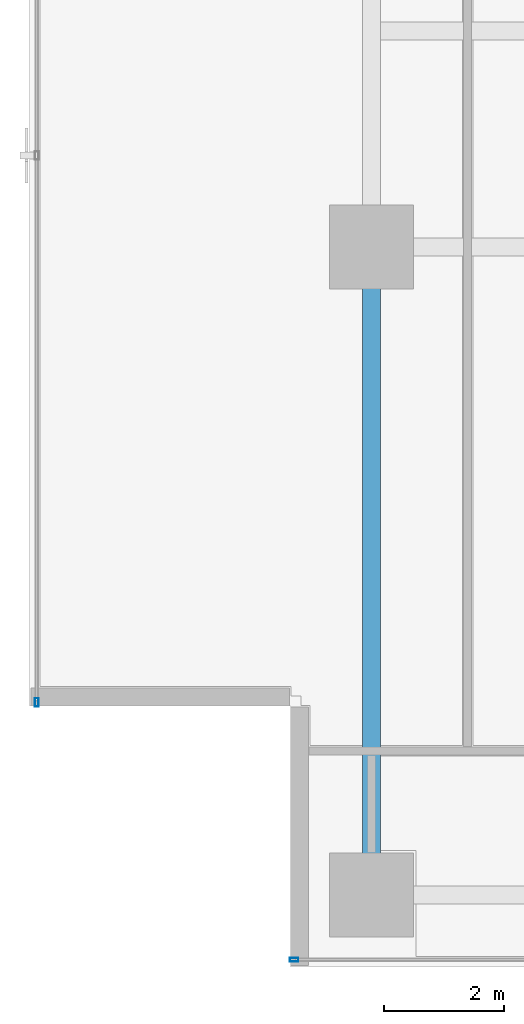
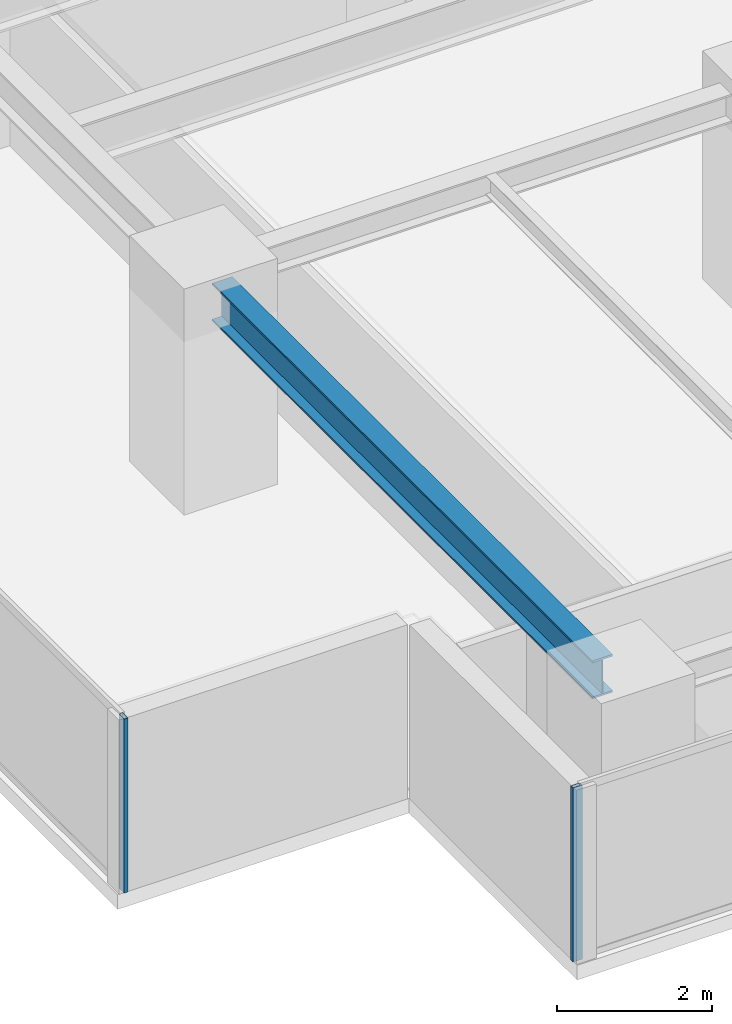
# One storey, part 2 of 25: 2 members, 1 beam, 2 elements without a shape of their own.
"""IFC4 building model written with IfcOpenShell, lengths in metres."""

from ifc_helpers import new_model, si_unit, direction, frame, origin, origin_2d, place, context, subcontext, project, spatial, hollow_rectangle, i_section, extrude, source, transform, mapped, material, layer, layer_set, material_profile, profile_set, type_object, element, aggregate, save


model = new_model("IFC4")

# Units and contexts
model_context = context("Model", 3, precision=1e-05, world=origin(), true_north=direction((0.0, 1.0)))
body_context = subcontext(model_context, "Body", "Model", "MODEL_VIEW")
ifc_project = project(units=[si_unit("LENGTHUNIT", "METRE"), si_unit("AREAUNIT", "SQUARE_METRE"), si_unit("VOLUMEUNIT", "CUBIC_METRE"), si_unit("PLANEANGLEUNIT", "RADIAN"), si_unit("MASSUNIT", "GRAM", prefix="KILO")], contexts=[model_context])

# Site, building, storey
site_placement = place(None, origin())
site = spatial("IfcSite", under=ifc_project, at=site_placement, CompositionType="ELEMENT")
building_placement = place(site_placement, origin())
building = spatial("IfcBuilding", under=site, at=building_placement, Name="Sumidabori Civic Tower", CompositionType="ELEMENT")
storey_placement = place(building_placement, frame((0.0, 0.0, 239.60009765625)))
storey = spatial("IfcBuildingStorey", under=building, at=storey_placement, Name="L62", CompositionType="ELEMENT", Elevation=239.60009765625)

# Beam
ifc_material_1 = material(Name="Steel SN490", Category="steel")
ifc_material_profile_1 = material_profile(ifc_material_1, i_section(OverallWidth=0.300048828125, OverallDepth=0.60009765625, WebThickness=0.015380859375, FlangeThickness=0.030029296875, at=origin_2d()), Name="HE 600 B")
ifc_profile_set_1 = profile_set([ifc_material_profile_1], Name="Steel SN490")
beam_type = type_object("IfcBeamType", Name="BM-GIRD-600", PredefinedType="BEAM", material=ifc_profile_set_1)
shared_shape_1 = source(origin(), body_context, "Body", "SweptSolid", [
    extrude(i_section(OverallWidth=0.300048828125, OverallDepth=0.60009765625, WebThickness=0.015380859375, FlangeThickness=0.030029296875, at=origin_2d()), origin(), (0.0, 0.0, 1.0), 9.840087890625),
])
beam_placement = place(storey_placement, frame((-16.800048828125, -10.320068359375, 3.06982421875), z_axis=(0.0, 1.0, 0.0), x_axis=(-1.0, 0.0, 0.0)))
element("IfcBeam", 1, at=beam_placement, inside=storey, type_object=beam_type, Name="Primary Girder L62 GY-09", PredefinedType="BEAM", context=body_context, shape_type="MappedRepresentation", body=[
    mapped(shared_shape_1, transform((0.0, 0.0, 0.0), x_axis=(1.0, 0.0, 0.0), y_axis=(0.0, 1.0, 0.0), z_axis=(0.0, 0.0, 1.0), scale=1.0)),
])

# Curtain wall, member
ifc_material_2 = material(Name="Anodised Bronze Aluminium AW-6063-T6", Category="aluminium")
ifc_layer = layer(ifc_material_2, 0.179931640625, Name="Anodised Bronze Aluminium AW-6063-T6")
ifc_layer_set = layer_set([ifc_layer], Name="Anodised Bronze Aluminium AW-6063-T6")
curtain_wall_type = type_object("IfcCurtainWallType", Name="CW-SYS-5", PredefinedType="NOTDEFINED", material=ifc_layer_set)
curtain_wall_1_placement = place(storey_placement, origin())
curtain_wall_1 = element("IfcCurtainWall", 2, at=curtain_wall_1_placement, inside=storey, type_object=curtain_wall_type, Name="Curtain Wall CW:L62:R01", PredefinedType="NOTDEFINED")
ifc_material_profile_2 = material_profile(ifc_material_2, hollow_rectangle(XDim=0.06005859375, YDim=0.139892578125, WallThickness=0.0048828125, at=origin_2d()), Name="ALU MULLION 140x60")
ifc_profile_set_2 = profile_set([ifc_material_profile_2], Name="Anodised Bronze Aluminium AW-6063-T6")
member_type = type_object("IfcMemberType", Name="CW-MUL-140", PredefinedType="MULLION", material=ifc_profile_set_2)
shared_shape_2 = source(origin(), body_context, "Body", "SweptSolid", [
    extrude(hollow_rectangle(XDim=0.06005859375, YDim=0.139892578125, WallThickness=0.0048828125, at=origin_2d()), origin(), (0.0, 0.0, 1.0), 2.75),
])
member_1_placement = place(storey_placement, frame((-18.090087890625, -11.8798828125, 0.0), z_axis=(0.0, 0.0, 1.0), x_axis=(0.0, 1.0, 0.0)))
member_1 = element("IfcMember", 3, at=member_1_placement, type_object=member_type, Name="CW-5 mullion 1", PredefinedType="MULLION", context=body_context, shape_type="MappedRepresentation", body=[
    mapped(shared_shape_2, transform((0.0, 0.0, 0.0), x_axis=(1.0, 0.0, 0.0), y_axis=(0.0, 1.0, 0.0), z_axis=(0.0, 0.0, 1.0), scale=1.0)),
])
aggregate(curtain_wall_1, [member_1])

curtain_wall_2_placement = place(storey_placement, origin())
curtain_wall_2 = element("IfcCurtainWall", 4, at=curtain_wall_2_placement, inside=storey, type_object=curtain_wall_type, Name="Curtain Wall CW:L62:R10", PredefinedType="NOTDEFINED")
member_2_placement = place(storey_placement, frame((-22.3798828125, -7.590087890625, 0.0), z_axis=(0.0, 0.0, 1.0), x_axis=(1.0, 0.0, 0.0)))
member_2 = element("IfcMember", 5, at=member_2_placement, type_object=member_type, Name="CW-5 mullion 4", PredefinedType="MULLION", context=body_context, shape_type="MappedRepresentation", body=[
    mapped(shared_shape_2, transform((0.0, 0.0, 0.0), x_axis=(1.0, 0.0, 0.0), y_axis=(0.0, 1.0, 0.0), z_axis=(0.0, 0.0, 1.0), scale=1.0)),
])
aggregate(curtain_wall_2, [member_2])

save(model, "model.ifc")
